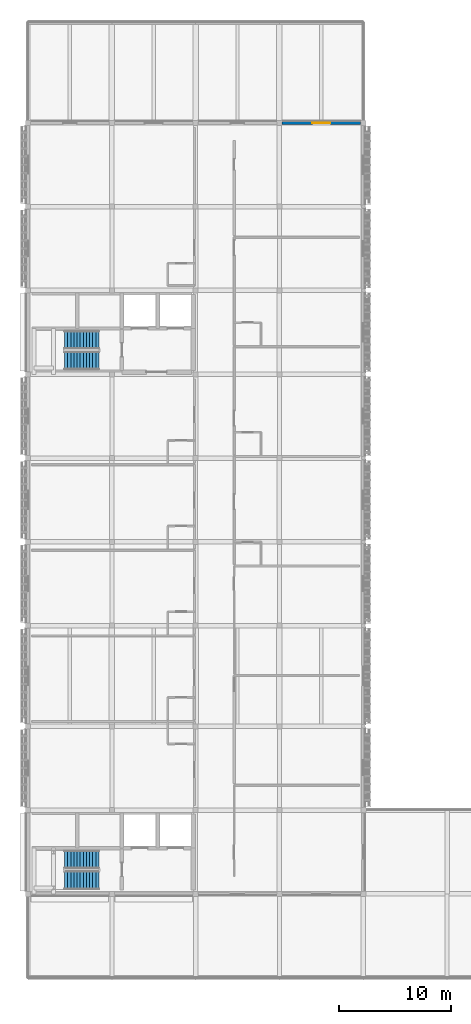
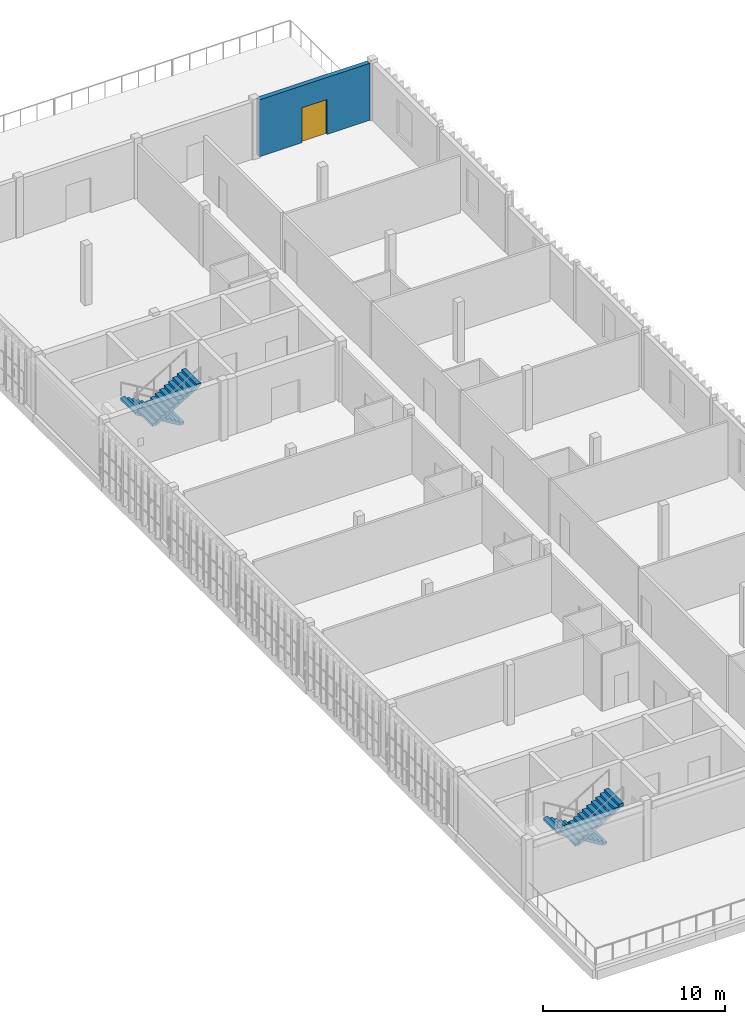
# One storey, part 6 of 13: 4 stair flights, 1 door, 1 wall, 1 opening, 2 elements without a shape of their own.
"""IFC4 building model written with IfcOpenShell, lengths in metres."""

import ifcopenshell
import ifcopenshell.guid

model = None  # the IFC model being written
_history = None  # IfcOwnerHistory: only IFC2X3 demands one
_inside = {}  # id of a spatial element -> (the spatial element, [elements in it])
_under = {}  # id of a project, library or spatial element -> (it, [spatial elements below it])
_declared = {}  # id of a project -> (the project, [libraries it declares])
_typed = {}  # id of a type object -> (the type object, [elements of that type])
_made_of = {}  # id of a material, layer set ... -> (it, [elements and type objects made of it])


def new_model(schema):
    """Start an empty IFC model of exactly this schema.

    Asked for "IFC4X3", IfcOpenShell would pick the latest addendum, in which some entities
    have other attributes; the version numbers below select the first issue.
    IFC2X3 requires an IfcOwnerHistory on every rooted entity: one is made here for all.
    """
    global model, _history
    if schema == "IFC4X3":
        model = ifcopenshell.file(schema_version=(4, 3, 0, 0))
    else:
        model = ifcopenshell.file(schema=schema)
    _inside.clear()
    _under.clear()
    _declared.clear()
    _typed.clear()
    _made_of.clear()
    _history = None
    if model.schema == "IFC2X3":
        org = make("IfcOrganization", Name="unknown")
        user = make(
            "IfcPersonAndOrganization",
            ThePerson=make("IfcPerson", FamilyName="unknown"),
            TheOrganization=org,
        )
        app = make(
            "IfcApplication",
            ApplicationDeveloper=org,
            Version="unknown",
            ApplicationFullName="unknown",
            ApplicationIdentifier="unknown",
        )
        _history = make(
            "IfcOwnerHistory",
            OwningUser=user,
            OwningApplication=app,
            ChangeAction="ADDED",
            CreationDate=0,
        )
    return model


def make(cls, **values):
    """One entity of the class cls with the attributes given. An attribute that is None is left unset."""
    return model.create_entity(
        cls, **{name: value for name, value in values.items() if value is not None}
    )


def rooted(cls, **values):
    """An entity with a GlobalId (a new one), such as an element, a storey or a relation."""
    return make(cls, GlobalId=ifcopenshell.guid.new(), OwnerHistory=_history, **values)


def si_unit(unit_type, name, prefix=None):
    """IfcSIUnit, for example si_unit("LENGTHUNIT", "METRE", prefix="MILLI")."""
    return make("IfcSIUnit", UnitType=unit_type, Prefix=prefix, Name=name)


def assignment(units):
    """IfcUnitAssignment: the units of a project."""
    return None if units is None else make("IfcUnitAssignment", Units=units)


def point(xyz):
    """IfcCartesianPoint."""
    return None if xyz is None else make("IfcCartesianPoint", Coordinates=xyz)


def direction(xyz):
    """IfcDirection."""
    return None if xyz is None else make("IfcDirection", DirectionRatios=xyz)


def frame(location, z_axis=None, x_axis=None):
    """IfcAxis2Placement3D, a coordinate frame: its origin and axes. An axis left out is left unset."""
    return make(
        "IfcAxis2Placement3D",
        Location=point(location),
        Axis=direction(z_axis),
        RefDirection=direction(x_axis),
    )


def frame_2d(location, x_axis=None):
    """IfcAxis2Placement2D, a coordinate frame in the plane: its origin and x axis."""
    return make(
        "IfcAxis2Placement2D", Location=point(location), RefDirection=direction(x_axis)
    )


def origin():
    """The frame at (0, 0, 0) with its axes left unset."""
    return frame((0.0, 0.0, 0.0))


def place(relative_to, where):
    """IfcLocalPlacement: puts the frame where relative to a parent placement (None: the world)."""
    return make(
        "IfcLocalPlacement", PlacementRelTo=relative_to, RelativePlacement=where
    )


def context(
    kind, dimensions, precision=None, world=None, true_north=None, identifier=None
):
    """IfcGeometricRepresentationContext, for example the 3D "Model" context."""
    return make(
        "IfcGeometricRepresentationContext",
        ContextIdentifier=identifier,
        ContextType=kind,
        CoordinateSpaceDimension=dimensions,
        Precision=precision,
        WorldCoordinateSystem=world,
        TrueNorth=true_north,
    )


def subcontext(parent, identifier, kind, view, scale=None):
    """IfcGeometricRepresentationSubContext, for example "Body" below "Model"."""
    return make(
        "IfcGeometricRepresentationSubContext",
        ContextIdentifier=identifier,
        ContextType=kind,
        ParentContext=parent,
        TargetScale=scale,
        TargetView=view,
    )


def project(units=None, contexts=None):
    """IfcProject with its units and contexts."""
    return rooted(
        "IfcProject",
        Name="project",
        RepresentationContexts=contexts,
        UnitsInContext=assignment(units),
    )


def spatial(cls, under=None, at=None, **own):
    """A site, building, storey or space (cls), placed at a placement, below another one or the project."""
    s = rooted(cls, ObjectPlacement=at, **own)
    if under is not None:
        _under.setdefault(under.id(), (under, []))[1].append(s)
    return s


def polyline(points):
    """IfcPolyline through the points."""
    return make("IfcPolyline", Points=[point(p) for p in points])


def profile(cls, at=None, kind="AREA", **sizes):
    """A parametric profile (cls). Its sizes go by their IFC names, for example OverallWidth=200.0."""
    return make(cls, ProfileType=kind, Position=at, **sizes)


def rectangle(**sizes):
    """IfcRectangleProfileDef."""
    return profile("IfcRectangleProfileDef", **sizes)


def outline(outer, holes=None, kind="AREA"):
    """IfcArbitraryClosedProfileDef: a profile drawn as a closed curve; with holes, ...WithVoids."""
    if holes is None:
        return make("IfcArbitraryClosedProfileDef", ProfileType=kind, OuterCurve=outer)
    return make(
        "IfcArbitraryProfileDefWithVoids",
        ProfileType=kind,
        OuterCurve=outer,
        InnerCurves=holes,
    )


def extrude(swept, where, along, depth):
    """IfcExtrudedAreaSolid: the profile swept, set in the frame where, extruded along a direction by depth."""
    return make(
        "IfcExtrudedAreaSolid",
        SweptArea=swept,
        Position=where,
        ExtrudedDirection=direction(along),
        Depth=depth,
    )


def shape(context_of_items, identifier, shape_type, items):
    """IfcShapeRepresentation: the items that make up one representation, for example the "Body"."""
    return make(
        "IfcShapeRepresentation",
        ContextOfItems=context_of_items,
        RepresentationIdentifier=identifier,
        RepresentationType=shape_type,
        Items=items,
    )


def material(Name=None, Category=None):
    """IfcMaterial."""
    return make("IfcMaterial", Name=Name, Category=Category)


def layer(
    of_material, thickness, ventilated=None, Name=None, Category=None, Priority=None
):
    """IfcMaterialLayer: one layer of a wall or slab, of a material (None: an air gap)."""
    return make(
        "IfcMaterialLayer",
        Material=of_material,
        LayerThickness=thickness,
        IsVentilated=ventilated,
        Name=Name,
        Category=Category,
        Priority=Priority,
    )


def layer_set(layers, Name=None):
    """IfcMaterialLayerSet."""
    return make("IfcMaterialLayerSet", MaterialLayers=layers, LayerSetName=Name)


def made_of(thing, what):
    """Note that an element or type object is made of a material, layer set ...; save() writes the relation."""
    if what is not None:
        _made_of.setdefault(what.id(), (what, []))[1].append(thing)
    return thing


def type_object(cls, material=None, **own):
    """A type object (cls), such as IfcWallType, which elements share."""
    return made_of(rooted(cls, **own), material)


def element(
    cls,
    number,
    at=None,
    inside=None,
    cuts=None,
    type_object=None,
    material=None,
    context=None,
    identifier="Body",
    shape_type=None,
    held_by="IfcProductDefinitionShape",
    body=None,
    shapes=None,
    **own,
):
    """One element of the class cls, such as IfcWall. Its Tag is "e" and its number.

    at: its placement. inside: the storey or other place that contains it. cuts: it is an
    opening in that element (IfcRelVoidsElement). A single representation is given by context,
    identifier, shape_type and body (its items); several are given by shapes. held_by: the class
    of the entity that holds the representations. save() writes the other relations.
    """
    e = rooted(cls, Tag="e%d" % number, ObjectPlacement=at, **own)
    if body is not None:
        shapes = [shape(context, identifier, shape_type, body)]
    if shapes is not None:
        e.Representation = make(held_by, Representations=shapes)
    if inside is not None:
        _inside.setdefault(inside.id(), (inside, []))[1].append(e)
    if cuts is not None:
        rooted(
            "IfcRelVoidsElement", RelatingBuildingElement=cuts, RelatedOpeningElement=e
        )
    if type_object is not None:
        _typed.setdefault(type_object.id(), (type_object, []))[1].append(e)
    return made_of(e, material)


def fill(opening, filler):
    """IfcRelFillsElement: the door or window that sits in an opening."""
    return rooted(
        "IfcRelFillsElement",
        RelatingOpeningElement=opening,
        RelatedBuildingElement=filler,
    )


def aggregate(whole, parts):
    """IfcRelAggregates: a whole, such as a stair, and the parts it consists of."""
    return rooted("IfcRelAggregates", RelatingObject=whole, RelatedObjects=parts)


def save(model, path):
    """Write the relations noted so far, then the file.

    IfcRelAggregates (storeys below a building ...), IfcRelContainedInSpatialStructure (elements
    in a storey), IfcRelDefinesByType, IfcRelAssociatesMaterial and IfcRelDeclares: one each for
    every whole, place, type object, material and project.
    """
    for whole, parts in _under.values():
        aggregate(whole, parts)
    for where, things in _inside.values():
        rooted(
            "IfcRelContainedInSpatialStructure",
            RelatedElements=things,
            RelatingStructure=where,
        )
    for kind, things in _typed.values():
        rooted("IfcRelDefinesByType", RelatedObjects=things, RelatingType=kind)
    for what, things in _made_of.values():
        rooted("IfcRelAssociatesMaterial", RelatedObjects=things, RelatingMaterial=what)
    for by, libraries in _declared.values():
        rooted("IfcRelDeclares", RelatingContext=by, RelatedDefinitions=libraries)
    model.write(path)


model = new_model("IFC4")

# Units and contexts
model_context = context("Model", 3, precision=1e-05, world=origin(), true_north=direction((0.0, 1.0)))
body_context = subcontext(model_context, "Body", "Model", "MODEL_VIEW")
ifc_project = project(units=[si_unit("LENGTHUNIT", "METRE"), si_unit("AREAUNIT", "SQUARE_METRE"), si_unit("VOLUMEUNIT", "CUBIC_METRE"), si_unit("PLANEANGLEUNIT", "RADIAN"), si_unit("MASSUNIT", "GRAM", prefix="KILO")], contexts=[model_context])

# Site, building, storey
site_placement = place(None, origin())
site = spatial("IfcSite", under=ifc_project, at=site_placement, CompositionType="ELEMENT")
building_placement = place(site_placement, origin())
building = spatial("IfcBuilding", under=site, at=building_placement, Name="Dalvernix Boulevard General Hospital", CompositionType="ELEMENT")
storey_placement = place(building_placement, frame((0.0, 0.0, 30.0)))
storey = spatial("IfcBuildingStorey", under=building, at=storey_placement, Name="L07", CompositionType="ELEMENT", Elevation=30.0)

# Wall, opening, door
ifc_material_1 = material(Name="Screened upper-ward insulated masonry cavity wall C35/45", Category="masonry")
ifc_layer = layer(ifc_material_1, 0.280029296875)
ifc_layer_set = layer_set([ifc_layer], Name="Screened upper-ward insulated masonry cavity wall C35/45 (WAL-EW-03)")
wall_type = type_object("IfcWallType", Name="WAL-EW-03", PredefinedType="STANDARD", material=ifc_layer_set)
wall_placement = place(storey_placement, frame((22.735107421875, 76.5, 0.0), z_axis=(0.0, 0.0, 1.0), x_axis=(1.0, 0.0, 0.0)))
wall = element("IfcWall", 1, at=wall_placement, inside=storey, type_object=wall_type, Name="L07 Catalan brick external wall N 3-10", PredefinedType="STANDARD", context=body_context, shape_type="SweptSolid", body=[
    extrude(rectangle(XDim=7.02978515625, YDim=0.280029296875, at=frame_2d((3.514892578125, 0.0))), origin(), (0.0, 0.0, 1.0), 3.830078125),
])
opening_placement = place(wall_placement, frame((2.715087890625, 0.0, 0.0)))
opening = element("IfcOpeningElement", 2, at=opening_placement, cuts=wall, Name="Opening TD-16", PredefinedType="OPENING", context=body_context, shape_type="SweptSolid", body=[
    extrude(rectangle(XDim=1.60009765625, YDim=2.35009765625, at=frame_2d((0.800048828125, 1.175048828125))), frame((0.0, 0.14990234375, 0.0), z_axis=(0.0, -1.0, 0.0), x_axis=(1.0, 0.0, 0.0)), (0.0, 0.0, 1.0), 0.300048828125),
])
ifc_material_2 = material(Name="Powder-coated aluminium and laminated safety glass", Category="aluminium")
door_type = type_object("IfcDoorType", Name="DR-TD-16", OperationType="DOUBLE_DOOR_SINGLE_SWING", PredefinedType="DOOR", material=ifc_material_2)
door_placement = place(opening_placement, origin())
door = element("IfcDoor", 3, at=door_placement, inside=storey, type_object=door_type, Name="L07 ward terrace access door N 3-10", OperationType="DOUBLE_DOOR_SINGLE_SWING", OverallHeight=2.35009765625, OverallWidth=1.60009765625, PredefinedType="DOOR", context=body_context, shape_type="SweptSolid", body=[
    extrude(rectangle(XDim=1.60009765625, YDim=2.35009765625, at=frame_2d((0.800048828125, 1.175048828125))), frame((0.0, 0.02490234375, 0.0), z_axis=(0.0, -1.0, 0.0), x_axis=(1.0, 0.0, 0.0)), (0.0, 0.0, 1.0), 0.050048828125),
])
fill(opening, door)

# Stair, stair flights
ifc_material_3 = material(Name="Precast concrete C40/50", Category="concrete")
stair_type = type_object("IfcStairType", Name="IFCSTAIR-STC-165x405", PredefinedType="HALF_TURN_STAIR", material=ifc_material_3)
stair_1_placement = place(storey_placement, origin())
stair_1 = element("IfcStair", 4, at=stair_1_placement, inside=storey, type_object=stair_type, Name="L07 Core C1 Exit Stair ST-01", PredefinedType="HALF_TURN_STAIR")
stair_flight_type = type_object("IfcStairFlightType", Name="IFCSTAIRFLIGHT-STF-165x405", PredefinedType="STRAIGHT", material=ifc_material_3)
stair_flight_1_placement = place(storey_placement, frame((6.35009765625, 10.574951171875, 0.0), z_axis=(0.0, 0.0, 1.0), x_axis=(-1.0, 0.0, 0.0)))
stair_flight_1 = element("IfcStairFlight", 5, at=stair_flight_1_placement, type_object=stair_flight_type, Name="ST-01 flight 1", NumberOfRisers=12, NumberOfTreads=11, PredefinedType="STRAIGHT", RiserHeight=0.16875, TreadLength=0.28, context=body_context, shape_type="SweptSolid", body=[
    extrude(outline(polyline([(0.0, 0.0), (0.0, 0.168701171875), (0.280029296875, 0.168701171875), (0.280029296875, 0.33740234375), (0.56005859375, 0.33740234375), (0.56005859375, 0.50634765625), (0.840087890625, 0.50634765625), (0.840087890625, 0.675048828125), (1.1201171875, 0.675048828125), (1.1201171875, 0.84375), (1.39990234375, 0.84375), (1.39990234375, 1.012451171875), (1.679931640625, 1.012451171875), (1.679931640625, 1.18115234375), (1.9599609375, 1.18115234375), (1.9599609375, 1.35009765625), (2.239990234375, 1.35009765625), (2.239990234375, 1.518798828125), (2.52001953125, 1.518798828125), (2.52001953125, 1.6875), (2.800048828125, 1.6875), (2.800048828125, 1.856201171875), (3.080078125, 1.856201171875), (3.080078125, 2.02490234375), (3.080078125, 1.68115234375), (0.29052734375, 0.0), (0.0, 0.0)])), frame((0.0, 0.824951171875, 0.0), z_axis=(0.0, -1.0, 0.0), x_axis=(1.0, 0.0, 0.0)), (0.0, 0.0, 1.0), 1.64990234375),
])
stair_flight_2_placement = place(storey_placement, frame((3.27001953125, 8.72509765625, 2.02490234375), z_axis=(0.0, 0.0, 1.0), x_axis=(1.0, 0.0, 0.0)))
stair_flight_2 = element("IfcStairFlight", 6, at=stair_flight_2_placement, type_object=stair_flight_type, Name="ST-01 flight 2", NumberOfRisers=12, NumberOfTreads=11, PredefinedType="STRAIGHT", RiserHeight=0.16875, TreadLength=0.28, context=body_context, shape_type="SweptSolid", body=[
    extrude(outline(polyline([(0.0, 0.0), (0.0, 0.168701171875), (0.280029296875, 0.168701171875), (0.280029296875, 0.33740234375), (0.56005859375, 0.33740234375), (0.56005859375, 0.50634765625), (0.840087890625, 0.50634765625), (0.840087890625, 0.675048828125), (1.1201171875, 0.675048828125), (1.1201171875, 0.84375), (1.39990234375, 0.84375), (1.39990234375, 1.012451171875), (1.679931640625, 1.012451171875), (1.679931640625, 1.18115234375), (1.9599609375, 1.18115234375), (1.9599609375, 1.35009765625), (2.239990234375, 1.35009765625), (2.239990234375, 1.518798828125), (2.52001953125, 1.518798828125), (2.52001953125, 1.6875), (2.800048828125, 1.6875), (2.800048828125, 1.856201171875), (3.080078125, 1.856201171875), (3.080078125, 2.02490234375), (3.080078125, 1.68115234375), (0.29052734375, 0.0), (0.0, 0.0)])), frame((0.0, 0.824951171875, 0.0), z_axis=(0.0, -1.0, 0.0), x_axis=(1.0, 0.0, 0.0)), (0.0, 0.0, 1.0), 1.64990234375),
])
aggregate(stair_1, [stair_flight_1, stair_flight_2])

stair_2_placement = place(storey_placement, origin())
stair_2 = element("IfcStair", 7, at=stair_2_placement, inside=storey, type_object=stair_type, Name="L07 Core C2 Exit Stair ST-02", PredefinedType="HALF_TURN_STAIR")
stair_flight_3_placement = place(storey_placement, frame((6.35009765625, 57.074951171875, 0.0), z_axis=(0.0, 0.0, 1.0), x_axis=(-1.0, 0.0, 0.0)))
stair_flight_3 = element("IfcStairFlight", 8, at=stair_flight_3_placement, type_object=stair_flight_type, Name="ST-02 flight 1", NumberOfRisers=12, NumberOfTreads=11, PredefinedType="STRAIGHT", RiserHeight=0.16875, TreadLength=0.28, context=body_context, shape_type="SweptSolid", body=[
    extrude(outline(polyline([(0.0, 0.0), (0.0, 0.168701171875), (0.280029296875, 0.168701171875), (0.280029296875, 0.33740234375), (0.56005859375, 0.33740234375), (0.56005859375, 0.50634765625), (0.840087890625, 0.50634765625), (0.840087890625, 0.675048828125), (1.1201171875, 0.675048828125), (1.1201171875, 0.84375), (1.39990234375, 0.84375), (1.39990234375, 1.012451171875), (1.679931640625, 1.012451171875), (1.679931640625, 1.18115234375), (1.9599609375, 1.18115234375), (1.9599609375, 1.35009765625), (2.239990234375, 1.35009765625), (2.239990234375, 1.518798828125), (2.52001953125, 1.518798828125), (2.52001953125, 1.6875), (2.800048828125, 1.6875), (2.800048828125, 1.856201171875), (3.080078125, 1.856201171875), (3.080078125, 2.02490234375), (3.080078125, 1.68115234375), (0.29052734375, 0.0), (0.0, 0.0)])), frame((0.0, 0.824951171875, 0.0), z_axis=(0.0, -1.0, 0.0), x_axis=(1.0, 0.0, 0.0)), (0.0, 0.0, 1.0), 1.64990234375),
])
stair_flight_4_placement = place(storey_placement, frame((3.27001953125, 55.22509765625, 2.02490234375), z_axis=(0.0, 0.0, 1.0), x_axis=(1.0, 0.0, 0.0)))
stair_flight_4 = element("IfcStairFlight", 9, at=stair_flight_4_placement, type_object=stair_flight_type, Name="ST-02 flight 2", NumberOfRisers=12, NumberOfTreads=11, PredefinedType="STRAIGHT", RiserHeight=0.16875, TreadLength=0.28, context=body_context, shape_type="SweptSolid", body=[
    extrude(outline(polyline([(0.0, 0.0), (0.0, 0.168701171875), (0.280029296875, 0.168701171875), (0.280029296875, 0.33740234375), (0.56005859375, 0.33740234375), (0.56005859375, 0.50634765625), (0.840087890625, 0.50634765625), (0.840087890625, 0.675048828125), (1.1201171875, 0.675048828125), (1.1201171875, 0.84375), (1.39990234375, 0.84375), (1.39990234375, 1.012451171875), (1.679931640625, 1.012451171875), (1.679931640625, 1.18115234375), (1.9599609375, 1.18115234375), (1.9599609375, 1.35009765625), (2.239990234375, 1.35009765625), (2.239990234375, 1.518798828125), (2.52001953125, 1.518798828125), (2.52001953125, 1.6875), (2.800048828125, 1.6875), (2.800048828125, 1.856201171875), (3.080078125, 1.856201171875), (3.080078125, 2.02490234375), (3.080078125, 1.68115234375), (0.29052734375, 0.0), (0.0, 0.0)])), frame((0.0, 0.824951171875, 0.0), z_axis=(0.0, -1.0, 0.0), x_axis=(1.0, 0.0, 0.0)), (0.0, 0.0, 1.0), 1.64990234375),
])
aggregate(stair_2, [stair_flight_3, stair_flight_4])

save(model, "model.ifc")
